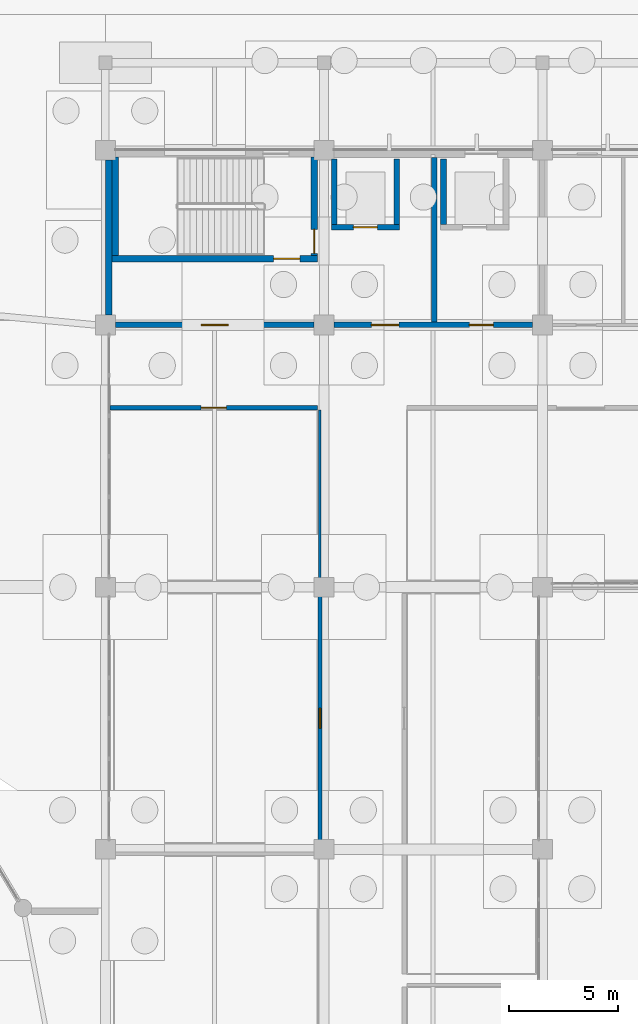
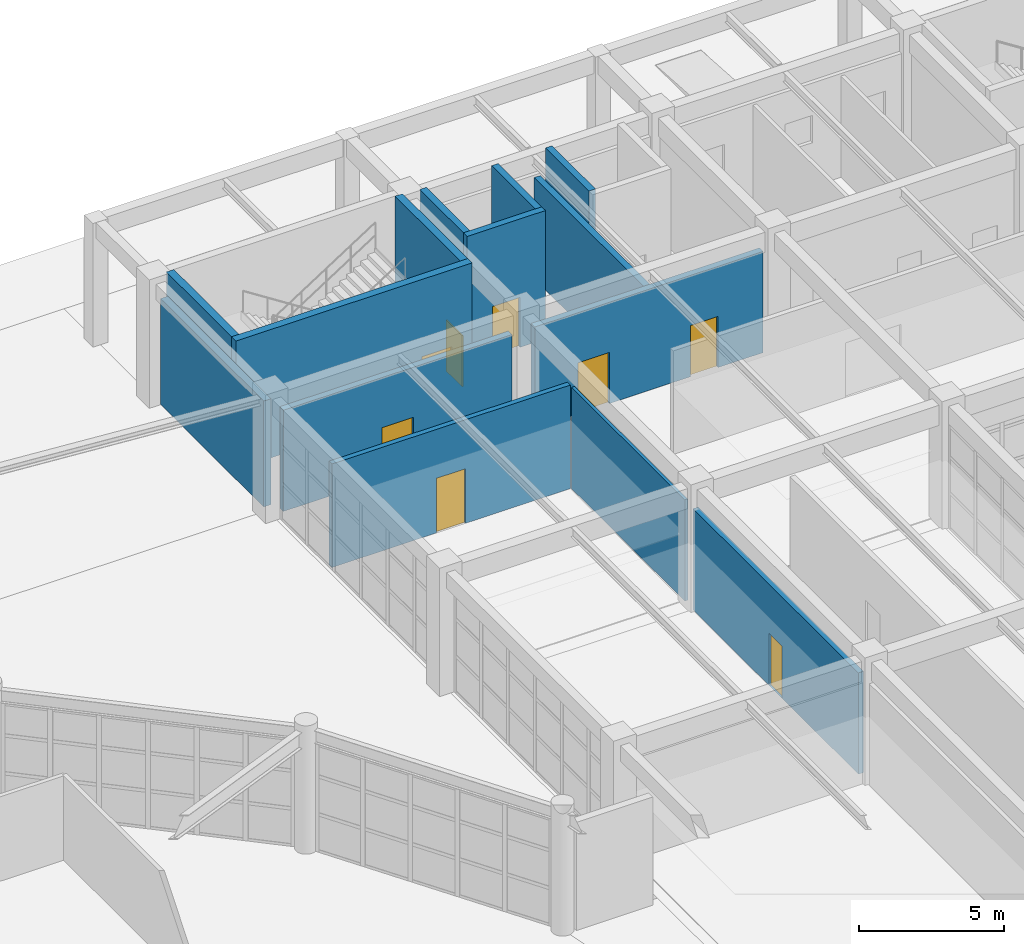
# One storey, part 79 of 99: 14 walls, 8 doors, 8 openings.
"""IFC4 building model written with IfcOpenShell, lengths in metres."""

from ifc_helpers import new_model, si_unit, direction, frame, frame_2d, origin, place, context, subcontext, project, spatial, rectangle, extrude, material, layer, layer_set, type_object, element, fill, save


model = new_model("IFC4")

# Units and contexts
model_context = context("Model", 3, precision=1e-05, world=origin(), true_north=direction((0.0, 1.0)))
body_context = subcontext(model_context, "Body", "Model", "MODEL_VIEW")
ifc_project = project(units=[si_unit("LENGTHUNIT", "METRE"), si_unit("AREAUNIT", "SQUARE_METRE"), si_unit("VOLUMEUNIT", "CUBIC_METRE"), si_unit("PLANEANGLEUNIT", "RADIAN"), si_unit("MASSUNIT", "GRAM", prefix="KILO")], contexts=[model_context])

# Site, building, storey
site_placement = place(None, origin())
site = spatial("IfcSite", under=ifc_project, at=site_placement, CompositionType="ELEMENT")
building_placement = place(site_placement, origin())
building = spatial("IfcBuilding", under=site, at=building_placement, Name="Kivolera Central Railway Station", CompositionType="ELEMENT")
storey_placement = place(building_placement, origin())
storey = spatial("IfcBuildingStorey", under=building, at=storey_placement, Name="L00", CompositionType="ELEMENT", Elevation=0.0)

# Wall, opening, door
ifc_material_1 = material(Name="Swahili coral limestone", Category="masonry")
ifc_layer_1 = layer(ifc_material_1, 0.199951171875, Name="Swahili coral limestone")
ifc_layer_set_1 = layer_set([ifc_layer_1], Name="Swahili coral limestone")
wall_type_1 = type_object("IfcWallType", Name="WL-COR-200", PredefinedType="PARTITIONING", material=ifc_layer_set_1)
wall_1_placement = place(storey_placement, frame((118.219970703125, 122.219970703125, 0.0), z_axis=(0.0, 0.0, 1.0), x_axis=(1.0, 0.0, 0.0)))
wall_1 = element("IfcWall", 1, at=wall_1_placement, inside=storey, type_object=wall_type_1, Name="L00 Forecourt Newsagent Retail Shop Corridor Wall", PredefinedType="PARTITIONING", context=body_context, shape_type="SweptSolid", body=[
    extrude(rectangle(XDim=9.47998046875, YDim=0.199951171875, at=frame_2d((4.739990234375, 0.0))), origin(), (0.0, 0.0, 1.0), 4.35791015625),
])
opening_1_placement = place(wall_1_placement, frame((4.1650390625, 0.0, 0.0)))
opening_1 = element("IfcOpeningElement", 2, at=opening_1_placement, cuts=wall_1, Name="Opening D-SG-15", PredefinedType="OPENING", context=body_context, shape_type="SweptSolid", body=[
    extrude(rectangle(XDim=1.14990234375, YDim=2.300048828125, at=frame_2d((0.574951171875, 1.14990234375))), frame((0.0, 0.10986328125, 0.0), z_axis=(0.0, -1.0, 0.0), x_axis=(1.0, 0.0, 0.0)), (0.0, 0.0, 1.0), 0.219970703125),
])
ifc_material_2 = material(Name="Hardwood mvule timber", Category="wood")
door_type_1 = type_object("IfcDoorType", Name="DR-D-SG-15", OperationType="NOTDEFINED", PredefinedType="DOOR", material=ifc_material_2)
door_1_placement = place(opening_1_placement, origin())
door_1 = element("IfcDoor", 3, at=door_1_placement, inside=storey, type_object=door_type_1, Name="L00 Forecourt Newsagent Retail Shop Door", OperationType="SINGLE_SWING_RIGHT", OverallHeight=2.300048828125, OverallWidth=1.14990234375, PredefinedType="DOOR", context=body_context, shape_type="SweptSolid", body=[
    extrude(rectangle(XDim=1.14990234375, YDim=2.300048828125, at=frame_2d((0.574951171875, 1.14990234375))), frame((0.0, 0.02490234375, 0.0), z_axis=(0.0, -1.0, 0.0), x_axis=(1.0, 0.0, 0.0)), (0.0, 0.0, 1.0), 0.050048828125),
])
fill(opening_1, door_1)

wall_2_placement = place(storey_placement, frame((127.820068359375, 102.300048828125, 0.0), z_axis=(0.0, 0.0, 1.0), x_axis=(0.0, 1.0, 0.0)))
wall_2 = element("IfcWall", 4, at=wall_2_placement, inside=storey, type_object=wall_type_1, Name="L00 Lost Property and Customer Care Office Corridor Wall", PredefinedType="PARTITIONING", context=body_context, shape_type="SweptSolid", body=[
    extrude(rectangle(XDim=11.39990234375, YDim=0.199951171875, at=frame_2d((5.699951171875, 0.0))), origin(), (0.0, 0.0, 1.0), 4.258056640625),
])
opening_2_placement = place(wall_2_placement, frame((5.25, 0.0, 0.0)))
opening_2 = element("IfcOpeningElement", 5, at=opening_2_placement, cuts=wall_2, Name="Opening D-SG-07", PredefinedType="OPENING", context=body_context, shape_type="SweptSolid", body=[
    extrude(rectangle(XDim=0.89990234375, YDim=2.199951171875, at=frame_2d((0.449951171875, 1.10009765625))), frame((0.0, 0.10986328125, 0.0), z_axis=(0.0, -1.0, 0.0), x_axis=(1.0, 0.0, 0.0)), (0.0, 0.0, 1.0), 0.219970703125),
])
door_type_2 = type_object("IfcDoorType", Name="DR-D-SG-07", OperationType="NOTDEFINED", PredefinedType="DOOR", material=ifc_material_2)
door_2_placement = place(opening_2_placement, origin())
door_2 = element("IfcDoor", 6, at=door_2_placement, inside=storey, type_object=door_type_2, Name="L00 Lost Property and Customer Care Office Door", OperationType="SINGLE_SWING_LEFT", OverallHeight=2.199951171875, OverallWidth=0.89990234375, PredefinedType="DOOR", context=body_context, shape_type="SweptSolid", body=[
    extrude(rectangle(XDim=0.89990234375, YDim=2.199951171875, at=frame_2d((0.449951171875, 1.10009765625))), frame((0.0, 0.02490234375, 0.0), z_axis=(0.0, -1.0, 0.0), x_axis=(1.0, 0.0, 0.0)), (0.0, 0.0, 1.0), 0.050048828125),
])
fill(opening_2, door_2)

ifc_material_3 = material(Name="Concrete C40/50", Category="concrete")
ifc_layer_2 = layer(ifc_material_3, 0.300048828125, Name="Concrete C40/50")
ifc_layer_set_2 = layer_set([ifc_layer_2], Name="Concrete C40/50")
wall_type_2 = type_object("IfcWallType", Name="WL-CORE-300", PredefinedType="SHEAR", material=ifc_layer_set_2)
wall_3_placement = place(storey_placement, frame((127.699951171875, 129.030029296875, 0.0), z_axis=(0.0, 0.0, 1.0), x_axis=(-1.0, 0.0, 0.0)))
wall_3 = element("IfcWall", 7, at=wall_3_placement, inside=storey, type_object=wall_type_2, Name="L00 ST1 Core Right Shear Wall", PredefinedType="SHEAR", context=body_context, shape_type="SweptSolid", body=[
    extrude(rectangle(XDim=9.39990234375, YDim=0.300048828125, at=frame_2d((4.699951171875, 0.0))), origin(), (0.0, 0.0, 1.0), 5.39990234375),
])
opening_3_placement = place(wall_3_placement, frame((0.800048828125, 0.0, 0.0)))
opening_3 = element("IfcOpeningElement", 8, at=opening_3_placement, cuts=wall_3, Name="Opening D-STAIR-1200", PredefinedType="OPENING", context=body_context, shape_type="SweptSolid", body=[
    extrude(rectangle(XDim=1.199951171875, YDim=2.14990234375, at=frame_2d((0.60009765625, 1.074951171875))), frame((0.0, 0.159912109375, 0.0), z_axis=(0.0, -1.0, 0.0), x_axis=(1.0, 0.0, 0.0)), (0.0, 0.0, 1.0), 0.320068359375),
])
door_type_3 = type_object("IfcDoorType", Name="DR-D-STAIR-1200", OperationType="NOTDEFINED", PredefinedType="DOOR", material=ifc_material_2)
door_3_placement = place(opening_3_placement, origin())
door_3 = element("IfcDoor", 9, at=door_3_placement, inside=storey, type_object=door_type_3, Name="L00 ST1 Vestibule Fire Door", OperationType="SINGLE_SWING_LEFT", OverallHeight=2.14990234375, OverallWidth=1.199951171875, PredefinedType="DOOR", context=body_context, shape_type="SweptSolid", body=[
    extrude(rectangle(XDim=1.199951171875, YDim=2.14990234375, at=frame_2d((0.60009765625, 1.074951171875))), frame((0.0, 0.02490234375, 0.0), z_axis=(0.0, -1.0, 0.0), x_axis=(1.0, 0.0, 0.0)), (0.0, 0.0, 1.0), 0.050048828125),
])
fill(opening_3, door_3)

wall_4_placement = place(storey_placement, frame((127.550048828125, 133.679931640625, 0.0), z_axis=(0.0, 0.0, 1.0), x_axis=(0.0, -1.0, 0.0)))
wall_4 = element("IfcWall", 10, at=wall_4_placement, inside=storey, type_object=wall_type_2, Name="L00 ST1 Core Near Shear Wall", PredefinedType="SHEAR", context=body_context, shape_type="SweptSolid", body=[
    extrude(rectangle(XDim=4.5, YDim=0.300048828125, at=frame_2d((2.25, 0.0))), origin(), (0.0, 0.0, 1.0), 5.39990234375),
])
opening_4_placement = place(wall_4_placement, frame((3.300048828125, 0.0, 0.0)))
opening_4 = element("IfcOpeningElement", 11, at=opening_4_placement, cuts=wall_4, Name="Opening D-FFL-1100", PredefinedType="OPENING", context=body_context, shape_type="SweptSolid", body=[
    extrude(rectangle(XDim=1.10009765625, YDim=2.14990234375, at=frame_2d((0.550048828125, 1.074951171875))), frame((0.0, 0.159912109375, 0.0), z_axis=(0.0, -1.0, 0.0), x_axis=(1.0, 0.0, 0.0)), (0.0, 0.0, 1.0), 0.320068359375),
])
door_type_4 = type_object("IfcDoorType", Name="DR-D-FFL-1100", OperationType="NOTDEFINED", PredefinedType="DOOR", material=ifc_material_2)
door_4_placement = place(opening_4_placement, origin())
door_4 = element("IfcDoor", 12, at=door_4_placement, inside=storey, type_object=door_type_4, Name="L00 Firefighting Lobby to ST1 Fire Door", OperationType="SINGLE_SWING_RIGHT", OverallHeight=2.14990234375, OverallWidth=1.10009765625, PredefinedType="DOOR", context=body_context, shape_type="SweptSolid", body=[
    extrude(rectangle(XDim=1.10009765625, YDim=2.14990234375, at=frame_2d((0.550048828125, 1.074951171875))), frame((0.0, 0.02490234375, 0.0), z_axis=(0.0, -1.0, 0.0), x_axis=(1.0, 0.0, 0.0)), (0.0, 0.0, 1.0), 0.050048828125),
])
fill(opening_4, door_4)

# Walls
wall_5_placement = place(storey_placement, frame((118.449951171875, 129.179931640625, 0.0), z_axis=(0.0, 0.0, 1.0), x_axis=(0.0, 1.0, 0.0)))
element("IfcWall", 13, at=wall_5_placement, inside=storey, type_object=wall_type_2, Name="L00 ST1 Core Far Shear Wall", PredefinedType="SHEAR", context=body_context, shape_type="SweptSolid", body=[
    extrude(rectangle(XDim=4.5, YDim=0.300048828125, at=frame_2d((2.25, 0.0))), origin(), (0.0, 0.0, 1.0), 5.39990234375),
])
ifc_layer_3 = layer(ifc_material_1, 0.2900390625, Name="Swahili coral limestone")
ifc_layer_set_3 = layer_set([ifc_layer_3], Name="Swahili coral limestone")
wall_type_3 = type_object("IfcWallType", Name="WL-EXT-CORAL-290", PredefinedType="SOLIDWALL", material=ifc_layer_set_3)
wall_6_placement = place(storey_placement, frame((118.14501953125, 126.445068359375, 0.0), z_axis=(0.0, 0.0, 1.0), x_axis=(0.0, 1.0, 0.0)))
element("IfcWall", 14, at=wall_6_placement, inside=storey, type_object=wall_type_3, Name="L00 West Facade Wall L-M", PredefinedType="SOLIDWALL", context=body_context, shape_type="SweptSolid", body=[
    extrude(rectangle(XDim=7.10986328125, YDim=0.2900390625, at=frame_2d((3.554931640625, 0.0))), origin(), (0.0, 0.0, 1.0), 4.4580078125),
])

# Wall, opening, door
ifc_layer_4 = layer(ifc_material_3, 0.25, Name="Concrete C40/50")
ifc_layer_set_4 = layer_set([ifc_layer_4], Name="Concrete C40/50")
wall_type_4 = type_object("IfcWallType", Name="WL-FFL-250", PredefinedType="PARTITIONING", material=ifc_layer_set_4)
wall_7_placement = place(storey_placement, frame((118.455078125, 126.0, 0.0), z_axis=(0.0, 0.0, 1.0), x_axis=(1.0, 0.0, 0.0)))
wall_7 = element("IfcWall", 15, at=wall_7_placement, inside=storey, type_object=wall_type_4, Name="L00 North Core Corridor Wall 118", PredefinedType="PARTITIONING", context=body_context, shape_type="SweptSolid", body=[
    extrude(rectangle(XDim=9.08984375, YDim=0.25, at=frame_2d((4.544921875, 0.0))), origin(), (0.0, 0.0, 1.0), 4.258056640625),
])
opening_5_placement = place(wall_7_placement, frame((3.919921875, 0.0, 0.0)))
opening_5 = element("IfcOpeningElement", 16, at=opening_5_placement, cuts=wall_7, Name="Opening D-FFL-1250", PredefinedType="OPENING", context=body_context, shape_type="SweptSolid", body=[
    extrude(rectangle(XDim=1.25, YDim=2.14990234375, at=frame_2d((0.625, 1.074951171875))), frame((0.0, 0.135009765625, 0.0), z_axis=(0.0, -1.0, 0.0), x_axis=(1.0, 0.0, 0.0)), (0.0, 0.0, 1.0), 0.27001953125),
])
door_type_5 = type_object("IfcDoorType", Name="DR-D-FFL-1250", OperationType="NOTDEFINED", PredefinedType="DOOR", material=ifc_material_2)
door_5_placement = place(opening_5_placement, origin())
door_5 = element("IfcDoor", 17, at=door_5_placement, inside=storey, type_object=door_type_5, Name="L00 ST1 Vestibule Corridor Door", OperationType="SINGLE_SWING_LEFT", OverallHeight=2.14990234375, OverallWidth=1.25, PredefinedType="DOOR", context=body_context, shape_type="SweptSolid", body=[
    extrude(rectangle(XDim=1.25, YDim=2.14990234375, at=frame_2d((0.625, 1.074951171875))), frame((0.0, 0.02490234375, 0.0), z_axis=(0.0, -1.0, 0.0), x_axis=(1.0, 0.0, 0.0)), (0.0, 0.0, 1.0), 0.050048828125),
])
fill(opening_5, door_5)

# Wall, openings, doors
wall_8_placement = place(storey_placement, frame((128.455078125, 126.0, 0.0), z_axis=(0.0, 0.0, 1.0), x_axis=(1.0, 0.0, 0.0)))
wall_8 = element("IfcWall", 18, at=wall_8_placement, inside=storey, type_object=wall_type_4, Name="L00 North Core Corridor Wall 128", PredefinedType="PARTITIONING", context=body_context, shape_type="SweptSolid", body=[
    extrude(rectangle(XDim=9.08984375, YDim=0.25, at=frame_2d((4.544921875, 0.0))), origin(), (0.0, 0.0, 1.0), 4.258056640625),
])
opening_6_placement = place(wall_8_placement, frame((1.719970703125, 0.0, 0.0)))
opening_6 = element("IfcOpeningElement", 19, at=opening_6_placement, cuts=wall_8, Name="Opening D-FFL-1250", PredefinedType="OPENING", context=body_context, shape_type="SweptSolid", body=[
    extrude(rectangle(XDim=1.25, YDim=2.14990234375, at=frame_2d((0.625, 1.074951171875))), frame((0.0, 0.135009765625, 0.0), z_axis=(0.0, -1.0, 0.0), x_axis=(1.0, 0.0, 0.0)), (0.0, 0.0, 1.0), 0.27001953125),
])
opening_7_placement = place(wall_8_placement, frame((6.195068359375, 0.0, 0.0)))
opening_7 = element("IfcOpeningElement", 20, at=opening_7_placement, cuts=wall_8, Name="Opening D-FFL-1100", PredefinedType="OPENING", context=body_context, shape_type="SweptSolid", body=[
    extrude(rectangle(XDim=1.10009765625, YDim=2.14990234375, at=frame_2d((0.550048828125, 1.074951171875))), frame((0.0, 0.135009765625, 0.0), z_axis=(0.0, -1.0, 0.0), x_axis=(1.0, 0.0, 0.0)), (0.0, 0.0, 1.0), 0.27001953125),
])
door_6_placement = place(opening_7_placement, origin())
door_6 = element("IfcDoor", 21, at=door_6_placement, inside=storey, type_object=door_type_4, Name="L00 PL1 Lift Lobby Door", OperationType="SINGLE_SWING_LEFT", OverallHeight=2.14990234375, OverallWidth=1.10009765625, PredefinedType="DOOR", context=body_context, shape_type="SweptSolid", body=[
    extrude(rectangle(XDim=1.10009765625, YDim=2.14990234375, at=frame_2d((0.550048828125, 1.074951171875))), frame((0.0, 0.02490234375, 0.0), z_axis=(0.0, -1.0, 0.0), x_axis=(1.0, 0.0, 0.0)), (0.0, 0.0, 1.0), 0.050048828125),
])
fill(opening_7, door_6)
door_7_placement = place(opening_6_placement, origin())
door_7 = element("IfcDoor", 22, at=door_7_placement, inside=storey, type_object=door_type_5, Name="L00 FL1 Firefighting Lobby Corridor Fire Door", OperationType="SINGLE_SWING_RIGHT", OverallHeight=2.14990234375, OverallWidth=1.25, PredefinedType="DOOR", context=body_context, shape_type="SweptSolid", body=[
    extrude(rectangle(XDim=1.25, YDim=2.14990234375, at=frame_2d((0.625, 1.074951171875))), frame((0.0, 0.02490234375, 0.0), z_axis=(0.0, -1.0, 0.0), x_axis=(1.0, 0.0, 0.0)), (0.0, 0.0, 1.0), 0.050048828125),
])
fill(opening_6, door_7)

# Walls
wall_9_placement = place(storey_placement, frame((133.050048828125, 126.125, 0.0), z_axis=(0.0, 0.0, 1.0), x_axis=(0.0, 1.0, 0.0)))
element("IfcWall", 23, at=wall_9_placement, inside=storey, type_object=wall_type_4, Name="L00 North Core Partition FFL1-DIV", PredefinedType="PARTITIONING", context=body_context, shape_type="SweptSolid", body=[
    extrude(rectangle(XDim=7.534912109375, YDim=0.25, at=frame_2d((3.767578125, 0.0))), origin(), (0.0, 0.0, 1.0), 4.258056640625),
])
ifc_material_4 = material(Name="Gypsum plasterboard steel-stud partition")
ifc_layer_5 = layer(ifc_material_4, 0.1201171875, Name="Gypsum plasterboard steel-stud partition")
ifc_layer_set_5 = layer_set([ifc_layer_5], Name="Gypsum plasterboard steel-stud partition")
wall_type_5 = type_object("IfcWallType", Name="WL-PRT-120", PredefinedType="PARTITIONING", material=ifc_layer_set_5)
wall_10_placement = place(storey_placement, frame((127.800048828125, 114.300048828125, 0.0), z_axis=(0.0, 0.0, 1.0), x_axis=(0.0, 1.0, 0.0)))
element("IfcWall", 24, at=wall_10_placement, inside=storey, type_object=wall_type_5, Name="L00 Forecourt Newsagent Retail Shop Partition Wall", PredefinedType="PARTITIONING", context=body_context, shape_type="SweptSolid", body=[
    extrude(rectangle(XDim=7.800048828125, YDim=0.1201171875, at=frame_2d((3.89990234375, 0.0))), origin(), (0.0, 0.0, 1.0), 4.258056640625),
])

# Wall, opening, door
ifc_layer_6 = layer(ifc_material_3, 0.260009765625, Name="Concrete C40/50")
ifc_layer_set_6 = layer_set([ifc_layer_6], Name="Concrete C40/50")
wall_type_6 = type_object("IfcWallType", Name="WL-SHAFT-260", PredefinedType="SHEAR", material=ifc_layer_set_6)
wall_11_placement = place(storey_placement, frame((128.340087890625, 130.469970703125, 0.0), z_axis=(0.0, 0.0, 1.0), x_axis=(1.0, 0.0, 0.0)))
wall_11 = element("IfcWall", 25, at=wall_11_placement, inside=storey, type_object=wall_type_6, Name="L00 Lift FL1 Front Shaft Wall", PredefinedType="SHEAR", context=body_context, shape_type="SweptSolid", body=[
    extrude(rectangle(XDim=3.119873046875, YDim=0.260009765625, at=frame_2d((1.56005859375, 0.0))), origin(), (0.0, 0.0, 1.0), 5.39990234375),
])
opening_8_placement = place(wall_11_placement, frame((1.010009765625, 0.0, 0.0)))
opening_8 = element("IfcOpeningElement", 26, at=opening_8_placement, cuts=wall_11, Name="Opening LD-FFL-1100", PredefinedType="OPENING", context=body_context, shape_type="SweptSolid", body=[
    extrude(rectangle(XDim=1.10009765625, YDim=2.10009765625, at=frame_2d((0.550048828125, 1.050048828125))), frame((0.0, 0.139892578125, 0.0), z_axis=(0.0, -1.0, 0.0), x_axis=(1.0, 0.0, 0.0)), (0.0, 0.0, 1.0), 0.280029296875),
])
ifc_material_5 = material(Name="Anodised aluminium", Category="aluminium")
door_type_6 = type_object("IfcDoorType", Name="DR-LD-FFL-1100", OperationType="NOTDEFINED", PredefinedType="DOOR", material=ifc_material_5)
door_8_placement = place(opening_8_placement, origin())
door_8 = element("IfcDoor", 27, at=door_8_placement, inside=storey, type_object=door_type_6, Name="L00 Lift FL1 Sliding Landing Door", OperationType="SLIDING_TO_LEFT", OverallHeight=2.10009765625, OverallWidth=1.10009765625, PredefinedType="DOOR", context=body_context, shape_type="SweptSolid", body=[
    extrude(rectangle(XDim=1.10009765625, YDim=2.10009765625, at=frame_2d((0.550048828125, 1.050048828125))), frame((0.0, 0.02490234375, 0.0), z_axis=(0.0, -1.0, 0.0), x_axis=(1.0, 0.0, 0.0)), (0.0, 0.0, 1.0), 0.050048828125),
])
fill(opening_8, door_8)

# Walls
for number, where, z_axis, x_axis, name in (
    (28, (128.469970703125, 130.60009765625, 0.0), (0.0, 0.0, 1.0), (0.0, 1.0, 0.0), "L00 Lift FL1 West Shaft Wall"),
    (29, (131.330078125, 130.60009765625, 0.0), (0.0, 0.0, 1.0), (0.0, 1.0, 0.0), "L00 Lift FL1 East Shaft Wall"),
    (30, (133.469970703125, 130.60009765625, 0.0), (0.0, 0.0, 1.0), (0.0, 1.0, 0.0), "L00 Lift PL1 West Shaft Wall"),
):
    element("IfcWall", number, at=place(storey_placement, frame(where, z_axis=z_axis, x_axis=x_axis)), inside=storey, type_object=wall_type_6, Name=name, PredefinedType="SHEAR", context=body_context, shape_type="SweptSolid", body=[
        extrude(rectangle(XDim=3.0, YDim=0.260009765625, at=frame_2d((1.5, 0.0))), origin(), (0.0, 0.0, 1.0), 5.39990234375),
    ])

save(model, "model.ifc")
